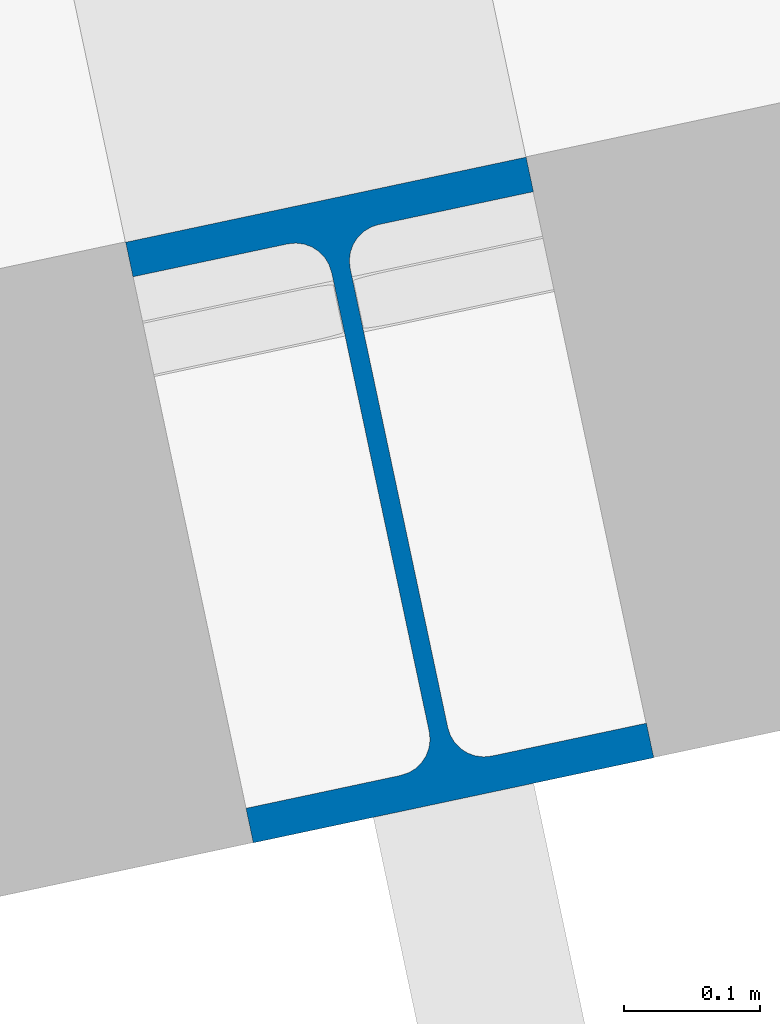
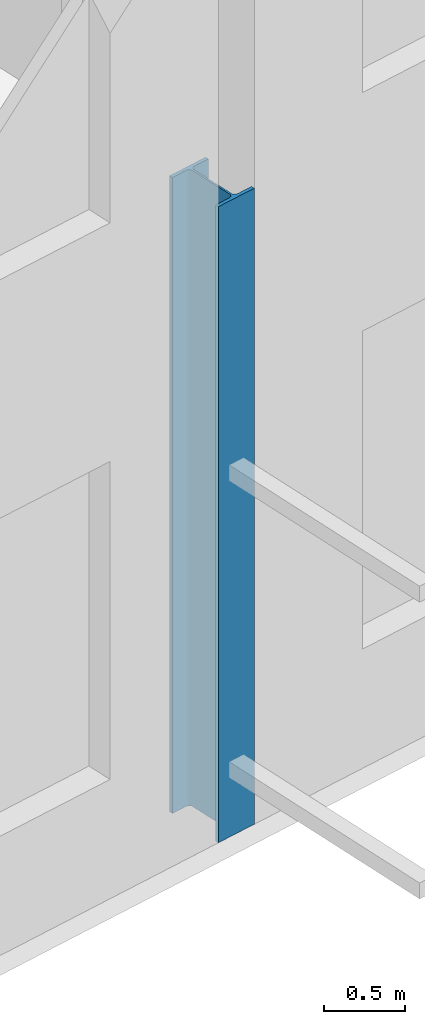
# One storey, part 7 of 69: 1 column.
"""IFC4 building model written with IfcOpenShell, lengths in metres."""

from ifc_helpers import new_model, si_unit, direction, frame, origin, origin_2d, place, context, subcontext, project, spatial, i_section, extrude, material, material_profile, profile_set, type_object, element, save


model = new_model("IFC4")

# Units and contexts
model_context = context("Model", 3, precision=1e-05, world=origin(), true_north=direction((0.0, 1.0)))
body_context = subcontext(model_context, "Body", "Model", "MODEL_VIEW")
ifc_project = project(units=[si_unit("LENGTHUNIT", "METRE"), si_unit("AREAUNIT", "SQUARE_METRE"), si_unit("VOLUMEUNIT", "CUBIC_METRE"), si_unit("PLANEANGLEUNIT", "RADIAN"), si_unit("MASSUNIT", "GRAM", prefix="KILO")], contexts=[model_context])

# Site, building, storey
site_placement = place(None, origin())
site = spatial("IfcSite", under=ifc_project, at=site_placement, CompositionType="ELEMENT")
building_placement = place(site_placement, origin())
building = spatial("IfcBuilding", under=site, at=building_placement, Name="Okhra Congress Centre", CompositionType="ELEMENT")
storey_placement = place(building_placement, frame((0.0, 0.0, 16.800048828125)))
storey = spatial("IfcBuildingStorey", under=building, at=storey_placement, Name="L03", CompositionType="ELEMENT", Elevation=16.800048828125)

# Column
ifc_material = material(Name="Steel S355J2", Category="steel")
ifc_material_profile = material_profile(ifc_material, i_section(OverallWidth=0.300048828125, OverallDepth=0.449951171875, WebThickness=0.013916015625, FlangeThickness=0.02587890625, FilletRadius=0.027099609375, at=origin_2d()), Name="HE 450 B")
ifc_profile_set = profile_set([ifc_material_profile], Name="Steel S355J2")
column_type = type_object("IfcColumnType", Name="Steel post HE 450 B", PredefinedType="COLUMN", material=ifc_profile_set)
column_placement = place(storey_placement, frame((193.06103515625, 54.877197265625, 0.0), z_axis=(0.0, 0.0, 1.0), x_axis=(0.978147600734, 0.207911690818, 0.0)))
element("IfcColumn", 1, at=column_placement, inside=storey, type_object=column_type, Name="Post S31", PredefinedType="COLUMN", context=body_context, shape_type="SweptSolid", body=[
    extrude(i_section(OverallWidth=0.300048828125, OverallDepth=0.449951171875, WebThickness=0.013916015625, FlangeThickness=0.02587890625, FilletRadius=0.027099609375, at=origin_2d()), origin(), (0.0, 0.0, 1.0), 4.800048828125),
])

save(model, "model.ifc")
